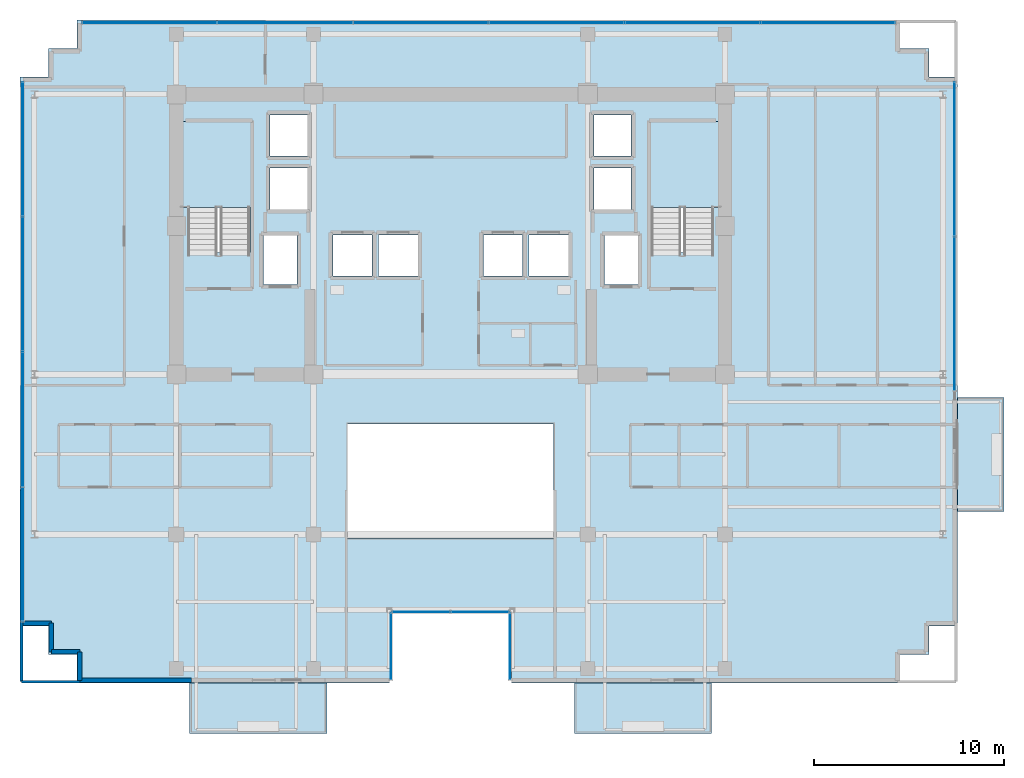
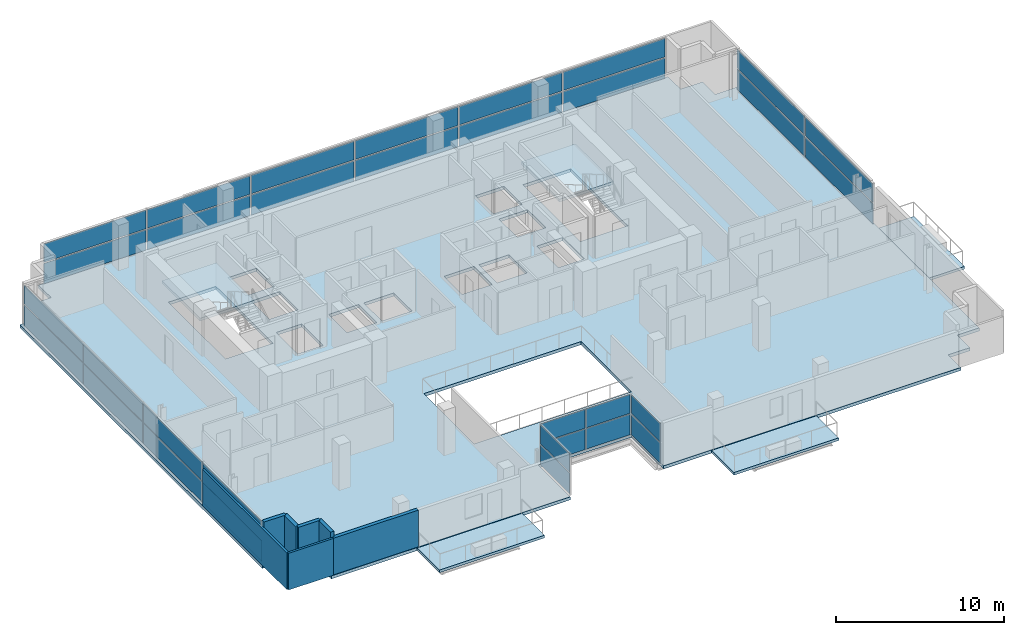
# One storey, part 14 of 21: 32 plates, 7 walls, 6 slabs, 8 elements without a shape of their own.
"""IFC4 building model written with IfcOpenShell, lengths in metres."""

import ifcopenshell
import ifcopenshell.guid

model = None  # the IFC model being written
_history = None  # IfcOwnerHistory: only IFC2X3 demands one
_inside = {}  # id of a spatial element -> (the spatial element, [elements in it])
_under = {}  # id of a project, library or spatial element -> (it, [spatial elements below it])
_declared = {}  # id of a project -> (the project, [libraries it declares])
_typed = {}  # id of a type object -> (the type object, [elements of that type])
_made_of = {}  # id of a material, layer set ... -> (it, [elements and type objects made of it])


def new_model(schema):
    """Start an empty IFC model of exactly this schema.

    Asked for "IFC4X3", IfcOpenShell would pick the latest addendum, in which some entities
    have other attributes; the version numbers below select the first issue.
    IFC2X3 requires an IfcOwnerHistory on every rooted entity: one is made here for all.
    """
    global model, _history
    if schema == "IFC4X3":
        model = ifcopenshell.file(schema_version=(4, 3, 0, 0))
    else:
        model = ifcopenshell.file(schema=schema)
    _inside.clear()
    _under.clear()
    _declared.clear()
    _typed.clear()
    _made_of.clear()
    _history = None
    if model.schema == "IFC2X3":
        org = make("IfcOrganization", Name="unknown")
        user = make(
            "IfcPersonAndOrganization",
            ThePerson=make("IfcPerson", FamilyName="unknown"),
            TheOrganization=org,
        )
        app = make(
            "IfcApplication",
            ApplicationDeveloper=org,
            Version="unknown",
            ApplicationFullName="unknown",
            ApplicationIdentifier="unknown",
        )
        _history = make(
            "IfcOwnerHistory",
            OwningUser=user,
            OwningApplication=app,
            ChangeAction="ADDED",
            CreationDate=0,
        )
    return model


def make(cls, **values):
    """One entity of the class cls with the attributes given. An attribute that is None is left unset."""
    return model.create_entity(
        cls, **{name: value for name, value in values.items() if value is not None}
    )


def rooted(cls, **values):
    """An entity with a GlobalId (a new one), such as an element, a storey or a relation."""
    return make(cls, GlobalId=ifcopenshell.guid.new(), OwnerHistory=_history, **values)


def si_unit(unit_type, name, prefix=None):
    """IfcSIUnit, for example si_unit("LENGTHUNIT", "METRE", prefix="MILLI")."""
    return make("IfcSIUnit", UnitType=unit_type, Prefix=prefix, Name=name)


def assignment(units):
    """IfcUnitAssignment: the units of a project."""
    return None if units is None else make("IfcUnitAssignment", Units=units)


def point(xyz):
    """IfcCartesianPoint."""
    return None if xyz is None else make("IfcCartesianPoint", Coordinates=xyz)


def direction(xyz):
    """IfcDirection."""
    return None if xyz is None else make("IfcDirection", DirectionRatios=xyz)


def frame(location, z_axis=None, x_axis=None):
    """IfcAxis2Placement3D, a coordinate frame: its origin and axes. An axis left out is left unset."""
    return make(
        "IfcAxis2Placement3D",
        Location=point(location),
        Axis=direction(z_axis),
        RefDirection=direction(x_axis),
    )


def frame_2d(location, x_axis=None):
    """IfcAxis2Placement2D, a coordinate frame in the plane: its origin and x axis."""
    return make(
        "IfcAxis2Placement2D", Location=point(location), RefDirection=direction(x_axis)
    )


def origin():
    """The frame at (0, 0, 0) with its axes left unset."""
    return frame((0.0, 0.0, 0.0))


def origin_2d():
    """The frame at (0, 0) in the plane with its x axis left unset."""
    return frame_2d((0.0, 0.0))


def place(relative_to, where):
    """IfcLocalPlacement: puts the frame where relative to a parent placement (None: the world)."""
    return make(
        "IfcLocalPlacement", PlacementRelTo=relative_to, RelativePlacement=where
    )


def context(
    kind, dimensions, precision=None, world=None, true_north=None, identifier=None
):
    """IfcGeometricRepresentationContext, for example the 3D "Model" context."""
    return make(
        "IfcGeometricRepresentationContext",
        ContextIdentifier=identifier,
        ContextType=kind,
        CoordinateSpaceDimension=dimensions,
        Precision=precision,
        WorldCoordinateSystem=world,
        TrueNorth=true_north,
    )


def subcontext(parent, identifier, kind, view, scale=None):
    """IfcGeometricRepresentationSubContext, for example "Body" below "Model"."""
    return make(
        "IfcGeometricRepresentationSubContext",
        ContextIdentifier=identifier,
        ContextType=kind,
        ParentContext=parent,
        TargetScale=scale,
        TargetView=view,
    )


def project(units=None, contexts=None):
    """IfcProject with its units and contexts."""
    return rooted(
        "IfcProject",
        Name="project",
        RepresentationContexts=contexts,
        UnitsInContext=assignment(units),
    )


def spatial(cls, under=None, at=None, **own):
    """A site, building, storey or space (cls), placed at a placement, below another one or the project."""
    s = rooted(cls, ObjectPlacement=at, **own)
    if under is not None:
        _under.setdefault(under.id(), (under, []))[1].append(s)
    return s


def polyline(points):
    """IfcPolyline through the points."""
    return make("IfcPolyline", Points=[point(p) for p in points])


def profile(cls, at=None, kind="AREA", **sizes):
    """A parametric profile (cls). Its sizes go by their IFC names, for example OverallWidth=200.0."""
    return make(cls, ProfileType=kind, Position=at, **sizes)


def rectangle(**sizes):
    """IfcRectangleProfileDef."""
    return profile("IfcRectangleProfileDef", **sizes)


def outline(outer, holes=None, kind="AREA"):
    """IfcArbitraryClosedProfileDef: a profile drawn as a closed curve; with holes, ...WithVoids."""
    if holes is None:
        return make("IfcArbitraryClosedProfileDef", ProfileType=kind, OuterCurve=outer)
    return make(
        "IfcArbitraryProfileDefWithVoids",
        ProfileType=kind,
        OuterCurve=outer,
        InnerCurves=holes,
    )


def extrude(swept, where, along, depth):
    """IfcExtrudedAreaSolid: the profile swept, set in the frame where, extruded along a direction by depth."""
    return make(
        "IfcExtrudedAreaSolid",
        SweptArea=swept,
        Position=where,
        ExtrudedDirection=direction(along),
        Depth=depth,
    )


def shape(context_of_items, identifier, shape_type, items):
    """IfcShapeRepresentation: the items that make up one representation, for example the "Body"."""
    return make(
        "IfcShapeRepresentation",
        ContextOfItems=context_of_items,
        RepresentationIdentifier=identifier,
        RepresentationType=shape_type,
        Items=items,
    )


def source(mapping_origin, context_of_items, identifier, shape_type, items):
    """IfcRepresentationMap: a shape defined once, which mapped items show again and again."""
    return make(
        "IfcRepresentationMap",
        MappingOrigin=mapping_origin,
        MappedRepresentation=shape(context_of_items, identifier, shape_type, items),
    )


def transform(
    local_origin,
    x_axis=None,
    y_axis=None,
    z_axis=None,
    scale=None,
    scale2=None,
    scale3=None,
    uniform=True,
):
    """IfcCartesianTransformationOperator3D, or its non-uniform kind. x_axis, y_axis, z_axis: its Axis1, 2, 3."""
    if uniform:
        return make(
            "IfcCartesianTransformationOperator3D",
            Axis1=direction(x_axis),
            Axis2=direction(y_axis),
            LocalOrigin=point(local_origin),
            Scale=scale,
            Axis3=direction(z_axis),
        )
    return make(
        "IfcCartesianTransformationOperator3DnonUniform",
        Axis1=direction(x_axis),
        Axis2=direction(y_axis),
        LocalOrigin=point(local_origin),
        Scale=scale,
        Axis3=direction(z_axis),
        Scale2=scale2,
        Scale3=scale3,
    )


def mapped(mapping_source, mapping_target):
    """IfcMappedItem: shows the shape of a source again, moved by a transform."""
    return make(
        "IfcMappedItem", MappingSource=mapping_source, MappingTarget=mapping_target
    )


def material(Name=None, Category=None):
    """IfcMaterial."""
    return make("IfcMaterial", Name=Name, Category=Category)


def layer(
    of_material, thickness, ventilated=None, Name=None, Category=None, Priority=None
):
    """IfcMaterialLayer: one layer of a wall or slab, of a material (None: an air gap)."""
    return make(
        "IfcMaterialLayer",
        Material=of_material,
        LayerThickness=thickness,
        IsVentilated=ventilated,
        Name=Name,
        Category=Category,
        Priority=Priority,
    )


def layer_set(layers, Name=None):
    """IfcMaterialLayerSet."""
    return make("IfcMaterialLayerSet", MaterialLayers=layers, LayerSetName=Name)


def made_of(thing, what):
    """Note that an element or type object is made of a material, layer set ...; save() writes the relation."""
    if what is not None:
        _made_of.setdefault(what.id(), (what, []))[1].append(thing)
    return thing


def type_object(cls, material=None, **own):
    """A type object (cls), such as IfcWallType, which elements share."""
    return made_of(rooted(cls, **own), material)


def element(
    cls,
    number,
    at=None,
    inside=None,
    cuts=None,
    type_object=None,
    material=None,
    context=None,
    identifier="Body",
    shape_type=None,
    held_by="IfcProductDefinitionShape",
    body=None,
    shapes=None,
    **own,
):
    """One element of the class cls, such as IfcWall. Its Tag is "e" and its number.

    at: its placement. inside: the storey or other place that contains it. cuts: it is an
    opening in that element (IfcRelVoidsElement). A single representation is given by context,
    identifier, shape_type and body (its items); several are given by shapes. held_by: the class
    of the entity that holds the representations. save() writes the other relations.
    """
    e = rooted(cls, Tag="e%d" % number, ObjectPlacement=at, **own)
    if body is not None:
        shapes = [shape(context, identifier, shape_type, body)]
    if shapes is not None:
        e.Representation = make(held_by, Representations=shapes)
    if inside is not None:
        _inside.setdefault(inside.id(), (inside, []))[1].append(e)
    if cuts is not None:
        rooted(
            "IfcRelVoidsElement", RelatingBuildingElement=cuts, RelatedOpeningElement=e
        )
    if type_object is not None:
        _typed.setdefault(type_object.id(), (type_object, []))[1].append(e)
    return made_of(e, material)


def aggregate(whole, parts):
    """IfcRelAggregates: a whole, such as a stair, and the parts it consists of."""
    return rooted("IfcRelAggregates", RelatingObject=whole, RelatedObjects=parts)


def save(model, path):
    """Write the relations noted so far, then the file.

    IfcRelAggregates (storeys below a building ...), IfcRelContainedInSpatialStructure (elements
    in a storey), IfcRelDefinesByType, IfcRelAssociatesMaterial and IfcRelDeclares: one each for
    every whole, place, type object, material and project.
    """
    for whole, parts in _under.values():
        aggregate(whole, parts)
    for where, things in _inside.values():
        rooted(
            "IfcRelContainedInSpatialStructure",
            RelatedElements=things,
            RelatingStructure=where,
        )
    for kind, things in _typed.values():
        rooted("IfcRelDefinesByType", RelatedObjects=things, RelatingType=kind)
    for what, things in _made_of.values():
        rooted("IfcRelAssociatesMaterial", RelatedObjects=things, RelatingMaterial=what)
    for by, libraries in _declared.values():
        rooted("IfcRelDeclares", RelatingContext=by, RelatedDefinitions=libraries)
    model.write(path)


model = new_model("IFC4")

# Units and contexts
model_context = context("Model", 3, precision=1e-05, world=origin(), true_north=direction((0.0, 1.0)))
body_context = subcontext(model_context, "Body", "Model", "MODEL_VIEW")
ifc_project = project(units=[si_unit("LENGTHUNIT", "METRE"), si_unit("AREAUNIT", "SQUARE_METRE"), si_unit("VOLUMEUNIT", "CUBIC_METRE"), si_unit("PLANEANGLEUNIT", "RADIAN"), si_unit("MASSUNIT", "GRAM", prefix="KILO")], contexts=[model_context])

# Site, building, storey
site_placement = place(None, origin())
site = spatial("IfcSite", under=ifc_project, at=site_placement, CompositionType="ELEMENT")
building_placement = place(site_placement, origin())
building = spatial("IfcBuilding", under=site, at=building_placement, Name="Zarnakvel Exchange Tower", CompositionType="ELEMENT")
storey_placement = place(building_placement, frame((0.0, 0.0, 182.5)))
storey = spatial("IfcBuildingStorey", under=building, at=storey_placement, Name="L51", CompositionType="ELEMENT", Elevation=182.5)

# Stair, slab
ifc_material_1 = material(Name="Concrete C40/50", Category="concrete")
stair_type = type_object("IfcStairType", Name="STR-01", PredefinedType="HALF_TURN_STAIR", material=ifc_material_1)
stair_1_placement = place(storey_placement, origin())
stair_1 = element("IfcStair", 1, at=stair_1_placement, inside=storey, type_object=stair_type, Name="L51 Protected Core Exit Stair ST-01", PredefinedType="HALF_TURN_STAIR")
ifc_layer_1 = layer(ifc_material_1, 0.199951171875)
ifc_layer_set_1 = layer_set([ifc_layer_1], Name="Concrete C40/50")
slab_type_1 = type_object("IfcSlabType", Name="LDG-01", PredefinedType="LANDING", material=ifc_layer_set_1)
slab_1_placement = place(storey_placement, frame((0.0, 0.0, 1.449951171875)))
slab_1 = element("IfcSlab", 2, at=slab_1_placement, type_object=slab_type_1, Name="ST-01 landing 1", PredefinedType="LANDING", context=body_context, shape_type="SweptSolid", body=[
    extrude(outline(polyline([(-14.18994140625, 7.570068359375), (-10.4599609375, 7.570068359375), (-10.4599609375, 12.080078125), (-14.18994140625, 12.080078125), (-14.18994140625, 7.570068359375)])), origin(), (0.0, 0.0, 1.0), 0.199951171875),
])
aggregate(stair_1, [slab_1])

stair_2_placement = place(storey_placement, origin())
stair_2 = element("IfcStair", 3, at=stair_2_placement, inside=storey, type_object=stair_type, Name="L51 Protected Core Exit Stair ST-02", PredefinedType="HALF_TURN_STAIR")
slab_2_placement = place(storey_placement, frame((0.0, 0.0, 1.449951171875)))
slab_2 = element("IfcSlab", 4, at=slab_2_placement, type_object=slab_type_1, Name="ST-02 landing 1", PredefinedType="LANDING", context=body_context, shape_type="SweptSolid", body=[
    extrude(outline(polyline([(10.4599609375, 7.570068359375), (14.18994140625, 7.570068359375), (14.18994140625, 12.080078125), (10.4599609375, 12.080078125), (10.4599609375, 7.570068359375)])), origin(), (0.0, 0.0, 1.0), 0.199951171875),
])
aggregate(stair_2, [slab_2])

# Slabs
ifc_layer_2 = layer(ifc_material_1, 0.22509765625)
ifc_layer_set_2 = layer_set([ifc_layer_2], Name="Concrete C40/50")
slab_type_2 = type_object("IfcSlabType", Name="SL-04", PredefinedType="FLOOR", material=ifc_layer_set_2)
slab_3_placement = place(storey_placement, frame((0.0, 0.0, -0.22509765625)))
element("IfcSlab", 5, at=slab_3_placement, inside=storey, type_object=slab_type_2, Name="L51 Primary Structural Floor Slab", PredefinedType="FLOOR", context=body_context, shape_type="SweptSolid", body=[
    extrude(outline(polyline([(-22.60009765625, -14.39990234375), (-21.10009765625, -14.39990234375), (-21.10009765625, -15.89990234375), (-19.60009765625, -15.89990234375), (-19.60009765625, -17.39990234375), (-3.199951171875, -17.39990234375), (-3.199951171875, -13.60009765625), (3.199951171875, -13.60009765625), (3.199951171875, -17.39990234375), (23.60009765625, -17.39990234375), (23.60009765625, -15.89990234375), (25.10009765625, -15.89990234375), (25.10009765625, -14.39990234375), (26.60009765625, -14.39990234375), (26.60009765625, 14.39990234375), (25.10009765625, 14.39990234375), (25.10009765625, 15.89990234375), (23.60009765625, 15.89990234375), (23.60009765625, 17.39990234375), (-19.60009765625, 17.39990234375), (-19.60009765625, 15.89990234375), (-21.10009765625, 15.89990234375), (-21.10009765625, 14.39990234375), (-22.60009765625, 14.39990234375), (-22.60009765625, -14.39990234375)]), holes=[polyline([(-5.39990234375, -9.800048828125), (5.39990234375, -9.800048828125), (5.39990234375, -3.800048828125), (-5.39990234375, -3.800048828125), (-5.39990234375, -9.800048828125)]), polyline([(-13.800048828125, 5.2099609375), (-10.5400390625, 5.2099609375), (-10.5400390625, 12.0), (-13.800048828125, 12.0), (-13.800048828125, 5.2099609375)]), polyline([(10.5400390625, 5.2099609375), (13.800048828125, 5.2099609375), (13.800048828125, 12.0), (10.5400390625, 12.0), (10.5400390625, 5.2099609375)]), polyline([(-9.830078125, 3.52001953125), (-8.070068359375, 3.52001953125), (-8.070068359375, 6.080078125), (-9.830078125, 6.080078125), (-9.830078125, 3.52001953125)]), polyline([(8.070068359375, 3.52001953125), (9.830078125, 3.52001953125), (9.830078125, 6.080078125), (8.070068359375, 6.080078125), (8.070068359375, 3.52001953125)]), polyline([(-6.179931640625, 3.969970703125), (-4.1201171875, 3.969970703125), (-4.1201171875, 6.1298828125), (-6.179931640625, 6.1298828125), (-6.179931640625, 3.969970703125)]), polyline([(-3.780029296875, 3.969970703125), (-1.719970703125, 3.969970703125), (-1.719970703125, 6.1298828125), (-3.780029296875, 6.1298828125), (-3.780029296875, 3.969970703125)]), polyline([(1.719970703125, 3.969970703125), (3.780029296875, 3.969970703125), (3.780029296875, 6.1298828125), (1.719970703125, 6.1298828125), (1.719970703125, 3.969970703125)]), polyline([(4.1201171875, 3.969970703125), (6.179931640625, 3.969970703125), (6.179931640625, 6.1298828125), (4.1201171875, 6.1298828125), (4.1201171875, 3.969970703125)]), polyline([(-9.47998046875, 7.469970703125), (-7.52001953125, 7.469970703125), (-7.52001953125, 9.6298828125), (-9.47998046875, 9.6298828125), (-9.47998046875, 7.469970703125)]), polyline([(-9.47998046875, 10.27001953125), (-7.52001953125, 10.27001953125), (-7.52001953125, 12.429931640625), (-9.47998046875, 12.429931640625), (-9.47998046875, 10.27001953125)]), polyline([(7.52001953125, 7.469970703125), (9.47998046875, 7.469970703125), (9.47998046875, 9.6298828125), (7.52001953125, 9.6298828125), (7.52001953125, 7.469970703125)]), polyline([(7.52001953125, 10.27001953125), (9.47998046875, 10.27001953125), (9.47998046875, 12.429931640625), (7.52001953125, 12.429931640625), (7.52001953125, 10.27001953125)])]), origin(), (0.0, 0.0, 1.0), 0.22509765625),
])
ifc_layer_3 = layer(ifc_material_1, 0.18994140625)
ifc_layer_set_3 = layer_set([ifc_layer_3], Name="Concrete C40/50")
slab_type_3 = type_object("IfcSlabType", Name="SL-08", PredefinedType="USERDEFINED", material=ifc_layer_set_3)
slab_4_placement = place(storey_placement, frame((0.0, 0.0, -0.22509765625)))
element("IfcSlab", 6, at=slab_4_placement, inside=storey, type_object=slab_type_3, Name="L51 Planted Loggia Balcony Slab BAL-L51-SW", ObjectType="BALCONY", PredefinedType="USERDEFINED", context=body_context, shape_type="SweptSolid", body=[
    extrude(outline(polyline([(-13.699951171875, -20.050048828125), (-6.5, -20.050048828125), (-6.5, -17.39990234375), (-13.699951171875, -17.39990234375), (-13.699951171875, -20.050048828125)])), origin(), (0.0, 0.0, 1.0), 0.190185546875),
])
slab_5_placement = place(storey_placement, frame((0.0, 0.0, -0.22509765625)))
element("IfcSlab", 7, at=slab_5_placement, inside=storey, type_object=slab_type_3, Name="L51 Planted Loggia Balcony Slab BAL-L51-SE", ObjectType="BALCONY", PredefinedType="USERDEFINED", context=body_context, shape_type="SweptSolid", body=[
    extrude(outline(polyline([(6.5, -20.050048828125), (13.699951171875, -20.050048828125), (13.699951171875, -17.39990234375), (6.5, -17.39990234375), (6.5, -20.050048828125)])), origin(), (0.0, 0.0, 1.0), 0.190185546875),
])
slab_6_placement = place(storey_placement, frame((0.0, 0.0, -0.22509765625)))
element("IfcSlab", 8, at=slab_6_placement, inside=storey, type_object=slab_type_3, Name="L51 Planted Loggia Balcony Slab BAL-L51-E", ObjectType="BALCONY", PredefinedType="USERDEFINED", context=body_context, shape_type="SweptSolid", body=[
    extrude(outline(polyline([(26.60009765625, -8.39990234375), (29.050048828125, -8.39990234375), (29.050048828125, -2.39990234375), (26.60009765625, -2.39990234375), (26.60009765625, -8.39990234375)])), origin(), (0.0, 0.0, 1.0), 0.190185546875),
])

# Curtain wall, plate
ifc_material_2 = material(Name="Architectural Bronze Anodised Aluminium", Category="aluminium")
ifc_layer_4 = layer(ifc_material_2, 0.179931640625)
ifc_layer_set_4 = layer_set([ifc_layer_4], Name="Architectural Bronze Anodised Aluminium")
curtain_wall_type_1 = type_object("IfcCurtainWallType", Name="CW-05", PredefinedType="NOTDEFINED", material=ifc_layer_set_4)
curtain_wall_1_placement = place(storey_placement, origin())
curtain_wall_1 = element("IfcCurtainWall", 9, at=curtain_wall_1_placement, inside=storey, type_object=curtain_wall_type_1, Name="L51 Curtain Wall CW-L51-SLW (CW-05)", PredefinedType="NOTDEFINED")
ifc_material_3 = material(Name="Double Low-E Laminated Vision Glass", Category="glass")
ifc_layer_5 = layer(ifc_material_3, 0.02587890625)
ifc_layer_set_5 = layer_set([ifc_layer_5], Name="Double Low-E Laminated Vision Glass")
plate_type_1 = type_object("IfcPlateType", Name="CWP-05", PredefinedType="CURTAIN_PANEL", material=ifc_layer_set_5)
shared_shape_1 = source(origin(), body_context, "Body", "SweptSolid", [
    extrude(rectangle(XDim=3.4599609375, YDim=0.02587890625, at=origin_2d()), origin(), (0.0, 0.0, 1.0), 1.483642578125),
])
plate_1_placement = place(storey_placement, frame((-3.1201171875, -15.47998046875, 0.06982421875), z_axis=(0.0, 0.0, 1.0), x_axis=(0.0, 1.0, 0.0)))
plate_1 = element("IfcPlate", 10, at=plate_1_placement, type_object=plate_type_1, Name="CW-05 panel 1.1", PredefinedType="CURTAIN_PANEL", context=body_context, shape_type="MappedRepresentation", body=[
    mapped(shared_shape_1, transform((0.0, 0.0, 0.0), x_axis=(1.0, 0.0, 0.0), y_axis=(0.0, 1.0, 0.0), z_axis=(0.0, 0.0, 1.0), scale=1.0)),
])

curtain_wall_2_placement = place(storey_placement, origin())
curtain_wall_2 = element("IfcCurtainWall", 11, at=curtain_wall_2_placement, inside=storey, type_object=curtain_wall_type_1, Name="L51 Curtain Wall CW-L51-SLE (CW-05)", PredefinedType="NOTDEFINED")
plate_2_placement = place(storey_placement, frame((3.1201171875, -15.47998046875, 0.06982421875), z_axis=(0.0, 0.0, 1.0), x_axis=(0.0, -1.0, 0.0)))
plate_2 = element("IfcPlate", 12, at=plate_2_placement, type_object=plate_type_1, Name="CW-05 panel 1.1", PredefinedType="CURTAIN_PANEL", context=body_context, shape_type="MappedRepresentation", body=[
    mapped(shared_shape_1, transform((0.0, 0.0, 0.0), x_axis=(1.0, 0.0, 0.0), y_axis=(0.0, 1.0, 0.0), z_axis=(0.0, 0.0, 1.0), scale=1.0)),
])

# Plate
shared_shape_2 = source(origin(), body_context, "Body", "SweptSolid", [
    extrude(rectangle(XDim=3.4599609375, YDim=0.02587890625, at=origin_2d()), origin(), (0.0, 0.0, 1.0), 1.361328125),
])
plate_3_placement = place(storey_placement, frame((-3.1201171875, -15.47998046875, 1.62353515625), z_axis=(0.0, 0.0, 1.0), x_axis=(0.0, 1.0, 0.0)))
plate_3 = element("IfcPlate", 13, at=plate_3_placement, type_object=plate_type_1, Name="CW-05 panel 1.2", PredefinedType="CURTAIN_PANEL", context=body_context, shape_type="MappedRepresentation", body=[
    mapped(shared_shape_2, transform((0.0, 0.0, 0.0), x_axis=(1.0, 0.0, 0.0), y_axis=(0.0, 1.0, 0.0), z_axis=(0.0, 0.0, 1.0), scale=1.0)),
])

aggregate(curtain_wall_1, [plate_1, plate_3])

plate_4_placement = place(storey_placement, frame((3.1201171875, -15.47998046875, 1.62353515625), z_axis=(0.0, 0.0, 1.0), x_axis=(0.0, -1.0, 0.0)))
plate_4 = element("IfcPlate", 14, at=plate_4_placement, type_object=plate_type_1, Name="CW-05 panel 1.2", PredefinedType="CURTAIN_PANEL", context=body_context, shape_type="MappedRepresentation", body=[
    mapped(shared_shape_2, transform((0.0, 0.0, 0.0), x_axis=(1.0, 0.0, 0.0), y_axis=(0.0, 1.0, 0.0), z_axis=(0.0, 0.0, 1.0), scale=1.0)),
])

aggregate(curtain_wall_2, [plate_2, plate_4])

# Curtain wall, plates
curtain_wall_3_placement = place(storey_placement, origin())
curtain_wall_3 = element("IfcCurtainWall", 15, at=curtain_wall_3_placement, inside=storey, type_object=curtain_wall_type_1, Name="L51 Curtain Wall CW-L51-SLB (CW-05)", PredefinedType="NOTDEFINED")
shared_shape_3 = source(origin(), body_context, "Body", "SweptSolid", [
    extrude(rectangle(XDim=3.014892578125, YDim=0.02587890625, at=origin_2d()), origin(), (0.0, 0.0, 1.0), 1.483642578125),
])
plate_5_placement = place(storey_placement, frame((-1.54248046875, -13.679931640625, 0.06982421875), z_axis=(0.0, 0.0, 1.0), x_axis=(1.0, 0.0, 0.0)))
plate_5 = element("IfcPlate", 16, at=plate_5_placement, type_object=plate_type_1, Name="CW-05 panel 1.1", PredefinedType="CURTAIN_PANEL", context=body_context, shape_type="MappedRepresentation", body=[
    mapped(shared_shape_3, transform((0.0, 0.0, 0.0), x_axis=(1.0, 0.0, 0.0), y_axis=(0.0, 1.0, 0.0), z_axis=(0.0, 0.0, 1.0), scale=1.0)),
])
plate_6_placement = place(storey_placement, frame((1.54248046875, -13.679931640625, 0.06982421875), z_axis=(0.0, 0.0, 1.0), x_axis=(1.0, 0.0, 0.0)))
plate_6 = element("IfcPlate", 17, at=plate_6_placement, type_object=plate_type_1, Name="CW-05 panel 2.1", PredefinedType="CURTAIN_PANEL", context=body_context, shape_type="MappedRepresentation", body=[
    mapped(shared_shape_3, transform((0.0, 0.0, 0.0), x_axis=(1.0, 0.0, 0.0), y_axis=(0.0, 1.0, 0.0), z_axis=(0.0, 0.0, 1.0), scale=1.0)),
])
shared_shape_4 = source(origin(), body_context, "Body", "SweptSolid", [
    extrude(rectangle(XDim=3.014892578125, YDim=0.02587890625, at=origin_2d()), origin(), (0.0, 0.0, 1.0), 1.361328125),
])
plate_7_placement = place(storey_placement, frame((-1.54248046875, -13.679931640625, 1.62353515625), z_axis=(0.0, 0.0, 1.0), x_axis=(1.0, 0.0, 0.0)))
plate_7 = element("IfcPlate", 18, at=plate_7_placement, type_object=plate_type_1, Name="CW-05 panel 1.2", PredefinedType="CURTAIN_PANEL", context=body_context, shape_type="MappedRepresentation", body=[
    mapped(shared_shape_4, transform((0.0, 0.0, 0.0), x_axis=(1.0, 0.0, 0.0), y_axis=(0.0, 1.0, 0.0), z_axis=(0.0, 0.0, 1.0), scale=1.0)),
])
plate_8_placement = place(storey_placement, frame((1.54248046875, -13.679931640625, 1.62353515625), z_axis=(0.0, 0.0, 1.0), x_axis=(1.0, 0.0, 0.0)))
plate_8 = element("IfcPlate", 19, at=plate_8_placement, type_object=plate_type_1, Name="CW-05 panel 2.2", PredefinedType="CURTAIN_PANEL", context=body_context, shape_type="MappedRepresentation", body=[
    mapped(shared_shape_4, transform((0.0, 0.0, 0.0), x_axis=(1.0, 0.0, 0.0), y_axis=(0.0, 1.0, 0.0), z_axis=(0.0, 0.0, 1.0), scale=1.0)),
])
aggregate(curtain_wall_3, [plate_5, plate_7, plate_6, plate_8])

ifc_layer_6 = layer(ifc_material_2, 0.219970703125)
ifc_layer_set_6 = layer_set([ifc_layer_6], Name="Architectural Bronze Anodised Aluminium")
curtain_wall_type_2 = type_object("IfcCurtainWallType", Name="CW-03", PredefinedType="NOTDEFINED", material=ifc_layer_set_6)
curtain_wall_4_placement = place(storey_placement, origin())
curtain_wall_4 = element("IfcCurtainWall", 20, at=curtain_wall_4_placement, inside=storey, type_object=curtain_wall_type_2, Name="L51 Curtain Wall CW-L51-N1 (CW-03)", PredefinedType="NOTDEFINED")
ifc_layer_7 = layer(ifc_material_3, 0.030029296875)
ifc_layer_set_7 = layer_set([ifc_layer_7], Name="Double Low-E Laminated Vision Glass")
plate_type_2 = type_object("IfcPlateType", Name="CWP-03", PredefinedType="CURTAIN_PANEL", material=ifc_layer_set_7)
shared_shape_5 = source(origin(), body_context, "Body", "SweptSolid", [
    extrude(rectangle(XDim=7.013427734375, YDim=0.030029296875, at=origin_2d()), origin(), (0.0, 0.0, 1.0), 1.468505859375),
])
plate_9_placement = place(storey_placement, frame((-15.813232421875, 17.260009765625, 0.080078125), z_axis=(0.0, 0.0, 1.0), x_axis=(1.0, 0.0, 0.0)))
plate_9 = element("IfcPlate", 21, at=plate_9_placement, type_object=plate_type_2, Name="CW-03 panel 1.1", PredefinedType="CURTAIN_PANEL", context=body_context, shape_type="MappedRepresentation", body=[
    mapped(shared_shape_5, transform((0.0, 0.0, 0.0), x_axis=(1.0, 0.0, 0.0), y_axis=(0.0, 1.0, 0.0), z_axis=(0.0, 0.0, 1.0), scale=1.0)),
])
plate_10_placement = place(storey_placement, frame((19.813232421875, 17.260009765625, 0.080078125), z_axis=(0.0, 0.0, 1.0), x_axis=(1.0, 0.0, 0.0)))
plate_10 = element("IfcPlate", 22, at=plate_10_placement, type_object=plate_type_2, Name="CW-03 panel 6.1", PredefinedType="CURTAIN_PANEL", context=body_context, shape_type="MappedRepresentation", body=[
    mapped(shared_shape_5, transform((0.0, 0.0, 0.0), x_axis=(1.0, 0.0, 0.0), y_axis=(0.0, 1.0, 0.0), z_axis=(0.0, 0.0, 1.0), scale=1.0)),
])
shared_shape_6 = source(origin(), body_context, "Body", "SweptSolid", [
    extrude(rectangle(XDim=7.013427734375, YDim=0.030029296875, at=origin_2d()), origin(), (0.0, 0.0, 1.0), 1.346435546875),
])
plate_11_placement = place(storey_placement, frame((-15.813232421875, 17.260009765625, 1.62841796875), z_axis=(0.0, 0.0, 1.0), x_axis=(1.0, 0.0, 0.0)))
plate_11 = element("IfcPlate", 23, at=plate_11_placement, type_object=plate_type_2, Name="CW-03 panel 1.2", PredefinedType="CURTAIN_PANEL", context=body_context, shape_type="MappedRepresentation", body=[
    mapped(shared_shape_6, transform((0.0, 0.0, 0.0), x_axis=(1.0, 0.0, 0.0), y_axis=(0.0, 1.0, 0.0), z_axis=(0.0, 0.0, 1.0), scale=1.0)),
])
plate_12_placement = place(storey_placement, frame((19.813232421875, 17.260009765625, 1.62841796875), z_axis=(0.0, 0.0, 1.0), x_axis=(1.0, 0.0, 0.0)))
plate_12 = element("IfcPlate", 24, at=plate_12_placement, type_object=plate_type_2, Name="CW-03 panel 6.2", PredefinedType="CURTAIN_PANEL", context=body_context, shape_type="MappedRepresentation", body=[
    mapped(shared_shape_6, transform((0.0, 0.0, 0.0), x_axis=(1.0, 0.0, 0.0), y_axis=(0.0, 1.0, 0.0), z_axis=(0.0, 0.0, 1.0), scale=1.0)),
])
shared_shape_7 = source(origin(), body_context, "Body", "SweptSolid", [
    extrude(rectangle(XDim=7.05322265625, YDim=0.030029296875, at=origin_2d()), origin(), (0.0, 0.0, 1.0), 1.468505859375),
])
plate_13_placement = place(storey_placement, frame((-8.699951171875, 17.260009765625, 0.080078125), z_axis=(0.0, 0.0, 1.0), x_axis=(1.0, 0.0, 0.0)))
plate_13 = element("IfcPlate", 25, at=plate_13_placement, type_object=plate_type_2, Name="CW-03 panel 2.1", PredefinedType="CURTAIN_PANEL", context=body_context, shape_type="MappedRepresentation", body=[
    mapped(shared_shape_7, transform((0.0, 0.0, 0.0), x_axis=(1.0, 0.0, 0.0), y_axis=(0.0, 1.0, 0.0), z_axis=(0.0, 0.0, 1.0), scale=1.0)),
])
plate_14_placement = place(storey_placement, frame((-1.566650390625, 17.260009765625, 0.080078125), z_axis=(0.0, 0.0, 1.0), x_axis=(1.0, 0.0, 0.0)))
plate_14 = element("IfcPlate", 26, at=plate_14_placement, type_object=plate_type_2, Name="CW-03 panel 3.1", PredefinedType="CURTAIN_PANEL", context=body_context, shape_type="MappedRepresentation", body=[
    mapped(shared_shape_7, transform((0.0, 0.0, 0.0), x_axis=(1.0, 0.0, 0.0), y_axis=(0.0, 1.0, 0.0), z_axis=(0.0, 0.0, 1.0), scale=1.0)),
])
plate_15_placement = place(storey_placement, frame((5.566650390625, 17.260009765625, 0.080078125), z_axis=(0.0, 0.0, 1.0), x_axis=(1.0, 0.0, 0.0)))
plate_15 = element("IfcPlate", 27, at=plate_15_placement, type_object=plate_type_2, Name="CW-03 panel 4.1", PredefinedType="CURTAIN_PANEL", context=body_context, shape_type="MappedRepresentation", body=[
    mapped(shared_shape_7, transform((0.0, 0.0, 0.0), x_axis=(1.0, 0.0, 0.0), y_axis=(0.0, 1.0, 0.0), z_axis=(0.0, 0.0, 1.0), scale=1.0)),
])
plate_16_placement = place(storey_placement, frame((12.699951171875, 17.260009765625, 0.080078125), z_axis=(0.0, 0.0, 1.0), x_axis=(1.0, 0.0, 0.0)))
plate_16 = element("IfcPlate", 28, at=plate_16_placement, type_object=plate_type_2, Name="CW-03 panel 5.1", PredefinedType="CURTAIN_PANEL", context=body_context, shape_type="MappedRepresentation", body=[
    mapped(shared_shape_7, transform((0.0, 0.0, 0.0), x_axis=(1.0, 0.0, 0.0), y_axis=(0.0, 1.0, 0.0), z_axis=(0.0, 0.0, 1.0), scale=1.0)),
])
shared_shape_8 = source(origin(), body_context, "Body", "SweptSolid", [
    extrude(rectangle(XDim=7.05322265625, YDim=0.030029296875, at=origin_2d()), origin(), (0.0, 0.0, 1.0), 1.346435546875),
])
plate_17_placement = place(storey_placement, frame((-8.699951171875, 17.260009765625, 1.62841796875), z_axis=(0.0, 0.0, 1.0), x_axis=(1.0, 0.0, 0.0)))
plate_17 = element("IfcPlate", 29, at=plate_17_placement, type_object=plate_type_2, Name="CW-03 panel 2.2", PredefinedType="CURTAIN_PANEL", context=body_context, shape_type="MappedRepresentation", body=[
    mapped(shared_shape_8, transform((0.0, 0.0, 0.0), x_axis=(1.0, 0.0, 0.0), y_axis=(0.0, 1.0, 0.0), z_axis=(0.0, 0.0, 1.0), scale=1.0)),
])
plate_18_placement = place(storey_placement, frame((-1.566650390625, 17.260009765625, 1.62841796875), z_axis=(0.0, 0.0, 1.0), x_axis=(1.0, 0.0, 0.0)))
plate_18 = element("IfcPlate", 30, at=plate_18_placement, type_object=plate_type_2, Name="CW-03 panel 3.2", PredefinedType="CURTAIN_PANEL", context=body_context, shape_type="MappedRepresentation", body=[
    mapped(shared_shape_8, transform((0.0, 0.0, 0.0), x_axis=(1.0, 0.0, 0.0), y_axis=(0.0, 1.0, 0.0), z_axis=(0.0, 0.0, 1.0), scale=1.0)),
])
plate_19_placement = place(storey_placement, frame((5.566650390625, 17.260009765625, 1.62841796875), z_axis=(0.0, 0.0, 1.0), x_axis=(1.0, 0.0, 0.0)))
plate_19 = element("IfcPlate", 31, at=plate_19_placement, type_object=plate_type_2, Name="CW-03 panel 4.2", PredefinedType="CURTAIN_PANEL", context=body_context, shape_type="MappedRepresentation", body=[
    mapped(shared_shape_8, transform((0.0, 0.0, 0.0), x_axis=(1.0, 0.0, 0.0), y_axis=(0.0, 1.0, 0.0), z_axis=(0.0, 0.0, 1.0), scale=1.0)),
])
plate_20_placement = place(storey_placement, frame((12.699951171875, 17.260009765625, 1.62841796875), z_axis=(0.0, 0.0, 1.0), x_axis=(1.0, 0.0, 0.0)))
plate_20 = element("IfcPlate", 32, at=plate_20_placement, type_object=plate_type_2, Name="CW-03 panel 5.2", PredefinedType="CURTAIN_PANEL", context=body_context, shape_type="MappedRepresentation", body=[
    mapped(shared_shape_8, transform((0.0, 0.0, 0.0), x_axis=(1.0, 0.0, 0.0), y_axis=(0.0, 1.0, 0.0), z_axis=(0.0, 0.0, 1.0), scale=1.0)),
])
aggregate(curtain_wall_4, [plate_9, plate_11, plate_13, plate_17, plate_14, plate_18, plate_15, plate_19, plate_16, plate_20, plate_10, plate_12])

ifc_layer_8 = layer(ifc_material_2, 0.199951171875)
ifc_layer_set_8 = layer_set([ifc_layer_8], Name="Architectural Bronze Anodised Aluminium")
curtain_wall_type_3 = type_object("IfcCurtainWallType", Name="CW-04", PredefinedType="NOTDEFINED", material=ifc_layer_set_8)
curtain_wall_5_placement = place(storey_placement, origin())
curtain_wall_5 = element("IfcCurtainWall", 33, at=curtain_wall_5_placement, inside=storey, type_object=curtain_wall_type_3, Name="L51 Curtain Wall CW-L51-EN (CW-04)", PredefinedType="NOTDEFINED")
ifc_layer_9 = layer(ifc_material_3, 0.028076171875)
ifc_layer_set_9 = layer_set([ifc_layer_9], Name="Double Low-E Laminated Vision Glass")
plate_type_3 = type_object("IfcPlateType", Name="CWP-04", PredefinedType="CURTAIN_PANEL", material=ifc_layer_set_9)
shared_shape_9 = source(origin(), body_context, "Body", "SweptSolid", [
    extrude(rectangle(XDim=8.03759765625, YDim=0.028076171875, at=origin_2d()), origin(), (0.0, 0.0, 1.0), 1.47607421875),
])
plate_21_placement = place(storey_placement, frame((26.4599609375, 1.99365234375, 0.074951171875), z_axis=(0.0, 0.0, 1.0), x_axis=(0.0, 1.0, 0.0)))
plate_21 = element("IfcPlate", 34, at=plate_21_placement, type_object=plate_type_3, Name="CW-04 panel 1.1", PredefinedType="CURTAIN_PANEL", context=body_context, shape_type="MappedRepresentation", body=[
    mapped(shared_shape_9, transform((0.0, 0.0, 0.0), x_axis=(1.0, 0.0, 0.0), y_axis=(0.0, 1.0, 0.0), z_axis=(0.0, 0.0, 1.0), scale=1.0)),
])
plate_22_placement = place(storey_placement, frame((26.4599609375, 10.106201171875, 0.074951171875), z_axis=(0.0, 0.0, 1.0), x_axis=(0.0, 1.0, 0.0)))
plate_22 = element("IfcPlate", 35, at=plate_22_placement, type_object=plate_type_3, Name="CW-04 panel 2.1", PredefinedType="CURTAIN_PANEL", context=body_context, shape_type="MappedRepresentation", body=[
    mapped(shared_shape_9, transform((0.0, 0.0, 0.0), x_axis=(1.0, 0.0, 0.0), y_axis=(0.0, 1.0, 0.0), z_axis=(0.0, 0.0, 1.0), scale=1.0)),
])
shared_shape_10 = source(origin(), body_context, "Body", "SweptSolid", [
    extrude(rectangle(XDim=8.03759765625, YDim=0.028076171875, at=origin_2d()), origin(), (0.0, 0.0, 1.0), 1.35400390625),
])
plate_23_placement = place(storey_placement, frame((26.4599609375, 1.99365234375, 1.6259765625), z_axis=(0.0, 0.0, 1.0), x_axis=(0.0, 1.0, 0.0)))
plate_23 = element("IfcPlate", 36, at=plate_23_placement, type_object=plate_type_3, Name="CW-04 panel 1.2", PredefinedType="CURTAIN_PANEL", context=body_context, shape_type="MappedRepresentation", body=[
    mapped(shared_shape_10, transform((0.0, 0.0, 0.0), x_axis=(1.0, 0.0, 0.0), y_axis=(0.0, 1.0, 0.0), z_axis=(0.0, 0.0, 1.0), scale=1.0)),
])
plate_24_placement = place(storey_placement, frame((26.4599609375, 10.106201171875, 1.6259765625), z_axis=(0.0, 0.0, 1.0), x_axis=(0.0, 1.0, 0.0)))
plate_24 = element("IfcPlate", 37, at=plate_24_placement, type_object=plate_type_3, Name="CW-04 panel 2.2", PredefinedType="CURTAIN_PANEL", context=body_context, shape_type="MappedRepresentation", body=[
    mapped(shared_shape_10, transform((0.0, 0.0, 0.0), x_axis=(1.0, 0.0, 0.0), y_axis=(0.0, 1.0, 0.0), z_axis=(0.0, 0.0, 1.0), scale=1.0)),
])
aggregate(curtain_wall_5, [plate_21, plate_23, plate_22, plate_24])

curtain_wall_6_placement = place(storey_placement, origin())
curtain_wall_6 = element("IfcCurtainWall", 38, at=curtain_wall_6_placement, inside=storey, type_object=curtain_wall_type_3, Name="L51 Curtain Wall CW-L51-W1 (CW-04)", PredefinedType="NOTDEFINED")
shared_shape_11 = source(origin(), body_context, "Body", "SweptSolid", [
    extrude(rectangle(XDim=6.987548828125, YDim=0.028076171875, at=origin_2d()), origin(), (0.0, 0.0, 1.0), 1.47607421875),
])
plate_25_placement = place(storey_placement, frame((-22.4599609375, -10.63134765625, 0.074951171875), z_axis=(0.0, 0.0, 1.0), x_axis=(0.0, 1.0, 0.0)))
plate_25 = element("IfcPlate", 39, at=plate_25_placement, type_object=plate_type_3, Name="CW-04 panel 1.1", PredefinedType="CURTAIN_PANEL", context=body_context, shape_type="MappedRepresentation", body=[
    mapped(shared_shape_11, transform((0.0, 0.0, 0.0), x_axis=(1.0, 0.0, 0.0), y_axis=(0.0, 1.0, 0.0), z_axis=(0.0, 0.0, 1.0), scale=1.0)),
])
plate_26_placement = place(storey_placement, frame((-22.4599609375, 10.63134765625, 0.074951171875), z_axis=(0.0, 0.0, 1.0), x_axis=(0.0, 1.0, 0.0)))
plate_26 = element("IfcPlate", 40, at=plate_26_placement, type_object=plate_type_3, Name="CW-04 panel 4.1", PredefinedType="CURTAIN_PANEL", context=body_context, shape_type="MappedRepresentation", body=[
    mapped(shared_shape_11, transform((0.0, 0.0, 0.0), x_axis=(1.0, 0.0, 0.0), y_axis=(0.0, 1.0, 0.0), z_axis=(0.0, 0.0, 1.0), scale=1.0)),
])
shared_shape_12 = source(origin(), body_context, "Body", "SweptSolid", [
    extrude(rectangle(XDim=6.987548828125, YDim=0.028076171875, at=origin_2d()), origin(), (0.0, 0.0, 1.0), 1.35400390625),
])
plate_27_placement = place(storey_placement, frame((-22.4599609375, -10.63134765625, 1.6259765625), z_axis=(0.0, 0.0, 1.0), x_axis=(0.0, 1.0, 0.0)))
plate_27 = element("IfcPlate", 41, at=plate_27_placement, type_object=plate_type_3, Name="CW-04 panel 1.2", PredefinedType="CURTAIN_PANEL", context=body_context, shape_type="MappedRepresentation", body=[
    mapped(shared_shape_12, transform((0.0, 0.0, 0.0), x_axis=(1.0, 0.0, 0.0), y_axis=(0.0, 1.0, 0.0), z_axis=(0.0, 0.0, 1.0), scale=1.0)),
])
plate_28_placement = place(storey_placement, frame((-22.4599609375, 10.63134765625, 1.6259765625), z_axis=(0.0, 0.0, 1.0), x_axis=(0.0, 1.0, 0.0)))
plate_28 = element("IfcPlate", 42, at=plate_28_placement, type_object=plate_type_3, Name="CW-04 panel 4.2", PredefinedType="CURTAIN_PANEL", context=body_context, shape_type="MappedRepresentation", body=[
    mapped(shared_shape_12, transform((0.0, 0.0, 0.0), x_axis=(1.0, 0.0, 0.0), y_axis=(0.0, 1.0, 0.0), z_axis=(0.0, 0.0, 1.0), scale=1.0)),
])
shared_shape_13 = source(origin(), body_context, "Body", "SweptSolid", [
    extrude(rectangle(XDim=7.02490234375, YDim=0.028076171875, at=origin_2d()), origin(), (0.0, 0.0, 1.0), 1.47607421875),
])
plate_29_placement = place(storey_placement, frame((-22.4599609375, -3.550048828125, 0.074951171875), z_axis=(0.0, 0.0, 1.0), x_axis=(0.0, 1.0, 0.0)))
plate_29 = element("IfcPlate", 43, at=plate_29_placement, type_object=plate_type_3, Name="CW-04 panel 2.1", PredefinedType="CURTAIN_PANEL", context=body_context, shape_type="MappedRepresentation", body=[
    mapped(shared_shape_13, transform((0.0, 0.0, 0.0), x_axis=(1.0, 0.0, 0.0), y_axis=(0.0, 1.0, 0.0), z_axis=(0.0, 0.0, 1.0), scale=1.0)),
])
plate_30_placement = place(storey_placement, frame((-22.4599609375, 3.550048828125, 0.074951171875), z_axis=(0.0, 0.0, 1.0), x_axis=(0.0, 1.0, 0.0)))
plate_30 = element("IfcPlate", 44, at=plate_30_placement, type_object=plate_type_3, Name="CW-04 panel 3.1", PredefinedType="CURTAIN_PANEL", context=body_context, shape_type="MappedRepresentation", body=[
    mapped(shared_shape_13, transform((0.0, 0.0, 0.0), x_axis=(1.0, 0.0, 0.0), y_axis=(0.0, 1.0, 0.0), z_axis=(0.0, 0.0, 1.0), scale=1.0)),
])
shared_shape_14 = source(origin(), body_context, "Body", "SweptSolid", [
    extrude(rectangle(XDim=7.02490234375, YDim=0.028076171875, at=origin_2d()), origin(), (0.0, 0.0, 1.0), 1.35400390625),
])
plate_31_placement = place(storey_placement, frame((-22.4599609375, -3.550048828125, 1.6259765625), z_axis=(0.0, 0.0, 1.0), x_axis=(0.0, 1.0, 0.0)))
plate_31 = element("IfcPlate", 45, at=plate_31_placement, type_object=plate_type_3, Name="CW-04 panel 2.2", PredefinedType="CURTAIN_PANEL", context=body_context, shape_type="MappedRepresentation", body=[
    mapped(shared_shape_14, transform((0.0, 0.0, 0.0), x_axis=(1.0, 0.0, 0.0), y_axis=(0.0, 1.0, 0.0), z_axis=(0.0, 0.0, 1.0), scale=1.0)),
])
plate_32_placement = place(storey_placement, frame((-22.4599609375, 3.550048828125, 1.6259765625), z_axis=(0.0, 0.0, 1.0), x_axis=(0.0, 1.0, 0.0)))
plate_32 = element("IfcPlate", 46, at=plate_32_placement, type_object=plate_type_3, Name="CW-04 panel 3.2", PredefinedType="CURTAIN_PANEL", context=body_context, shape_type="MappedRepresentation", body=[
    mapped(shared_shape_14, transform((0.0, 0.0, 0.0), x_axis=(1.0, 0.0, 0.0), y_axis=(0.0, 1.0, 0.0), z_axis=(0.0, 0.0, 1.0), scale=1.0)),
])
aggregate(curtain_wall_6, [plate_25, plate_27, plate_29, plate_31, plate_30, plate_32, plate_26, plate_28])

# Walls
ifc_material_4 = material(Name="Precast concrete C40/50", Category="concrete")
ifc_layer_10 = layer(ifc_material_4, 0.239990234375)
ifc_layer_set_10 = layer_set([ifc_layer_10], Name="Precast concrete C40/50")
wall_type_1 = type_object("IfcWallType", Name="EW-02", PredefinedType="SOLIDWALL", material=ifc_layer_set_10)
wall_1_placement = place(storey_placement, frame((-19.4599609375, -17.260009765625, 0.0), z_axis=(0.0, 0.0, 1.0), x_axis=(1.0, 0.0, 0.0)))
element("IfcWall", 47, at=wall_1_placement, inside=storey, type_object=wall_type_1, Name="L51 Exterior Precast Spandrel Wall EWC-L51-22 (EW-02)", PredefinedType="SOLIDWALL", context=body_context, shape_type="SweptSolid", body=[
    extrude(rectangle(XDim=5.85986328125, YDim=0.239990234375, at=frame_2d((2.929931640625, 0.0))), origin(), (0.0, 0.0, 1.0), 2.6650390625),
])
for number, where, z_axis, x_axis, name in (
    (48, (-19.4599609375, -15.760009765625, 0.0), (0.0, 0.0, 1.0), (0.0, -1.0, 0.0), "L51 Exterior Precast Spandrel Wall EWC-L51-23 (EW-02)"),
    (49, (-20.9599609375, -15.760009765625, 0.0), (0.0, 0.0, 1.0), (1.0, 0.0, 0.0), "L51 Exterior Precast Spandrel Wall EWC-L51-24 (EW-02)"),
    (50, (-20.9599609375, -14.260009765625, 0.0), (0.0, 0.0, 1.0), (0.0, -1.0, 0.0), "L51 Exterior Precast Spandrel Wall EWC-L51-25 (EW-02)"),
    (51, (-22.4599609375, -14.260009765625, 0.0), (0.0, 0.0, 1.0), (1.0, 0.0, 0.0), "L51 Exterior Precast Spandrel Wall EWC-L51-26 (EW-02)"),
):
    element("IfcWall", number, at=place(storey_placement, frame(where, z_axis=z_axis, x_axis=x_axis)), inside=storey, type_object=wall_type_1, Name=name, PredefinedType="SOLIDWALL", context=body_context, shape_type="SweptSolid", body=[
        extrude(rectangle(XDim=1.5, YDim=0.239990234375, at=frame_2d((0.75, 0.0))), origin(), (0.0, 0.0, 1.0), 3.074951171875),
    ])
ifc_material_5 = material(Name="Fire-Rated Gypsum Stud Partition", Category="gypsum")
ifc_layer_11 = layer(ifc_material_5, 0.14990234375)
ifc_layer_set_11 = layer_set([ifc_layer_11], Name="Fire-Rated Gypsum Stud Partition")
wall_type_2 = type_object("IfcWallType", Name="PT-01", PredefinedType="PARTITIONING", material=ifc_layer_set_11)
wall_2_placement = place(storey_placement, frame((-19.4599609375, -17.330078125, 0.0), z_axis=(0.0, 0.0, 1.0), x_axis=(-1.0, 0.0, 0.0)))
element("IfcWall", 52, at=wall_2_placement, inside=storey, type_object=wall_type_2, Name="L51 Partition Wall PWALL-L51-035 (PT-01)", PredefinedType="PARTITIONING", context=body_context, shape_type="SweptSolid", body=[
    extrude(rectangle(XDim=3.070068359375, YDim=0.14990234375, at=frame_2d((1.53515625, 0.0))), origin(), (0.0, 0.0, 1.0), 2.6650390625),
])
wall_3_placement = place(storey_placement, frame((-22.530029296875, -17.330078125, 0.0), z_axis=(0.0, 0.0, 1.0), x_axis=(0.0, 1.0, 0.0)))
element("IfcWall", 53, at=wall_3_placement, inside=storey, type_object=wall_type_2, Name="L51 Partition Wall PWALL-L51-036 (PT-01)", PredefinedType="PARTITIONING", context=body_context, shape_type="SweptSolid", body=[
    extrude(rectangle(XDim=10.050048828125, YDim=0.14990234375, at=frame_2d((5.02490234375, 0.0))), origin(), (0.0, 0.0, 1.0), 2.6650390625),
])

save(model, "model.ifc")
